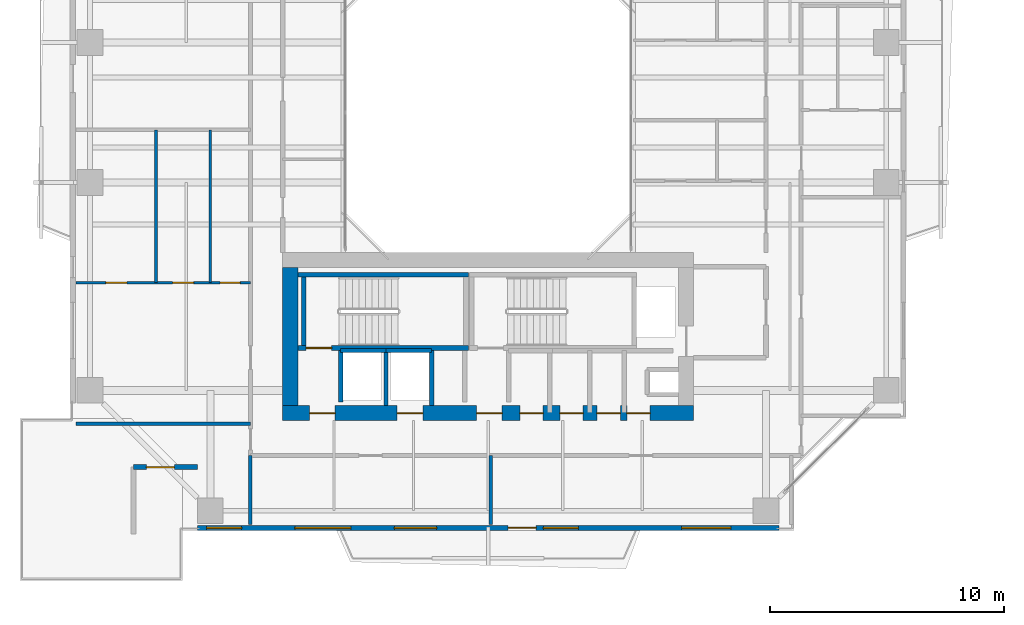
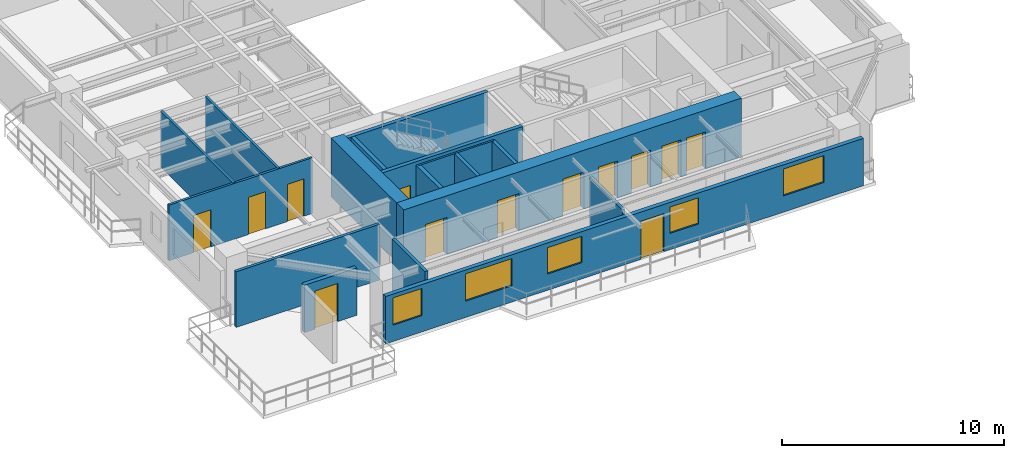
# One storey, part 12 of 23: 18 walls, 13 doors, 5 windows, 18 openings.
"""IFC4 building model written with IfcOpenShell, lengths in metres."""

from ifc_helpers import new_model, si_unit, direction, frame, frame_2d, origin, place, context, subcontext, project, spatial, rectangle, extrude, source, transform, mapped, material, layer, layer_set, type_object, element, fill, save


model = new_model("IFC4")

# Units and contexts
model_context = context("Model", 3, precision=1e-05, world=origin(), true_north=direction((0.0, 1.0)))
body_context = subcontext(model_context, "Body", "Model", "MODEL_VIEW")
ifc_project = project(units=[si_unit("LENGTHUNIT", "METRE"), si_unit("AREAUNIT", "SQUARE_METRE"), si_unit("VOLUMEUNIT", "CUBIC_METRE"), si_unit("PLANEANGLEUNIT", "RADIAN"), si_unit("MASSUNIT", "GRAM", prefix="KILO"), si_unit("THERMODYNAMICTEMPERATUREUNIT", "KELVIN"), si_unit("POWERUNIT", "WATT")], contexts=[model_context])

# Site, building, storey
site_placement = place(None, origin())
site = spatial("IfcSite", under=ifc_project, at=site_placement, CompositionType="ELEMENT")
building_placement = place(site_placement, origin())
building = spatial("IfcBuilding", under=site, at=building_placement, Name="Qiaomeng Ring Towers", CompositionType="ELEMENT")
storey_placement = place(building_placement, frame((0.0, 0.0, 103.5)))
storey = spatial("IfcBuildingStorey", under=building, at=storey_placement, Name="L29", CompositionType="ELEMENT", Elevation=103.5)

# Wall, openings, windows, door
ifc_material_1 = material(Name="Precast concrete C40", Category="concrete")
ifc_layer_1 = layer(ifc_material_1, 0.219970703125, Name="Precast concrete C40")
ifc_layer_set_1 = layer_set([ifc_layer_1], Name="Precast concrete C40")
wall_type_1 = type_object("IfcWallType", Name="ARC-WL-EW2", PredefinedType="STANDARD", material=ifc_layer_set_1)
wall_1_placement = place(storey_placement, frame((6.550048828125, 5.2099609375, 0.0), z_axis=(0.0, 0.0, 1.0), x_axis=(1.0, 0.0, 0.0)))
wall_1 = element("IfcWall", 1, at=wall_1_placement, inside=storey, type_object=wall_type_1, Name="L29 Tower 1 S Exterior Wall", PredefinedType="STANDARD", context=body_context, shape_type="SweptSolid", body=[
    extrude(rectangle(XDim=24.89990234375, YDim=0.219970703125, at=frame_2d((12.449951171875, 0.0))), origin(), (0.0, 0.0, 1.0), 2.610107421875),
])
opening_1_placement = place(wall_1_placement, frame((13.300048828125, 0.0, 0.0)))
opening_1 = element("IfcOpeningElement", 2, at=opening_1_placement, cuts=wall_1, Name="Opening BD1", PredefinedType="OPENING", context=body_context, shape_type="SweptSolid", body=[
    extrude(rectangle(XDim=1.199951171875, YDim=2.10009765625, at=frame_2d((0.60009765625, 1.050048828125))), frame((0.0, 0.119873046875, 0.0), z_axis=(0.0, -1.0, 0.0), x_axis=(1.0, 0.0, 0.0)), (0.0, 0.0, 1.0), 0.239990234375),
])
opening_2_placement = place(wall_1_placement, frame((0.392578125, 0.0, 0.89990234375)))
opening_2 = element("IfcOpeningElement", 3, at=opening_2_placement, cuts=wall_1, Name="Opening WN2", PredefinedType="OPENING", context=body_context, shape_type="SweptSolid", body=[
    extrude(rectangle(XDim=1.5, YDim=1.5, at=frame_2d((0.75, 0.75))), frame((0.0, 0.119873046875, 0.0), z_axis=(0.0, -1.0, 0.0), x_axis=(1.0, 0.0, 0.0)), (0.0, 0.0, 1.0), 0.239990234375),
])
opening_3_placement = place(wall_1_placement, frame((8.43798828125, 0.0, 0.89990234375)))
opening_3 = element("IfcOpeningElement", 4, at=opening_3_placement, cuts=wall_1, Name="Opening WN1", PredefinedType="OPENING", context=body_context, shape_type="SweptSolid", body=[
    extrude(rectangle(XDim=1.800048828125, YDim=1.449951171875, at=frame_2d((0.89990234375, 0.72509765625))), frame((0.0, 0.119873046875, 0.0), z_axis=(0.0, -1.0, 0.0), x_axis=(1.0, 0.0, 0.0)), (0.0, 0.0, 1.0), 0.239990234375),
])
opening_4_placement = place(wall_1_placement, frame((14.81298828125, 0.0, 0.89990234375)))
opening_4 = element("IfcOpeningElement", 5, at=opening_4_placement, cuts=wall_1, Name="Opening WN2", PredefinedType="OPENING", context=body_context, shape_type="SweptSolid", body=[
    extrude(rectangle(XDim=1.5, YDim=1.449951171875, at=frame_2d((0.75, 0.72509765625))), frame((0.0, 0.119873046875, 0.0), z_axis=(0.0, -1.0, 0.0), x_axis=(1.0, 0.0, 0.0)), (0.0, 0.0, 1.0), 0.239990234375),
])
opening_5_placement = place(wall_1_placement, frame((20.738037109375, 0.0, 0.89990234375)))
opening_5 = element("IfcOpeningElement", 6, at=opening_5_placement, cuts=wall_1, Name="Opening WN4", PredefinedType="OPENING", context=body_context, shape_type="SweptSolid", body=[
    extrude(rectangle(XDim=2.10009765625, YDim=1.47998046875, at=frame_2d((1.050048828125, 0.739990234375))), frame((0.0, 0.119873046875, 0.0), z_axis=(0.0, -1.0, 0.0), x_axis=(1.0, 0.0, 0.0)), (0.0, 0.0, 1.0), 0.239990234375),
])
opening_6_placement = place(wall_1_placement, frame((4.17138671875, 0.0, 0.89990234375)))
opening_6 = element("IfcOpeningElement", 7, at=opening_6_placement, cuts=wall_1, Name="Opening WN6", PredefinedType="OPENING", context=body_context, shape_type="SweptSolid", body=[
    extrude(rectangle(XDim=2.39990234375, YDim=1.5, at=frame_2d((1.199951171875, 0.75))), frame((0.0, 0.119873046875, 0.0), z_axis=(0.0, -1.0, 0.0), x_axis=(1.0, 0.0, 0.0)), (0.0, 0.0, 1.0), 0.239990234375),
])
ifc_material_2 = material(Name="Low-E dark-grey laminated double glazing", Category="glass")
window_type_1 = type_object("IfcWindowType", Name="ARC-WN-2", PartitioningType="DOUBLE_PANEL_VERTICAL", PredefinedType="WINDOW", material=ifc_material_2)
shared_shape_1 = source(origin(), body_context, "Body", "SweptSolid", [
    extrude(rectangle(XDim=1.5, YDim=1.449951171875, at=frame_2d((0.75, 0.72509765625))), frame((0.0, 0.030029296875, 0.0), z_axis=(0.0, -1.0, 0.0), x_axis=(1.0, 0.0, 0.0)), (0.0, 0.0, 1.0), 0.06005859375),
])
window_1_placement = place(opening_4_placement, origin())
window_1 = element("IfcWindow", 8, at=window_1_placement, inside=storey, type_object=window_type_1, Name="L29 Exterior Window WN2", OverallHeight=1.449951171875, OverallWidth=1.5, PartitioningType="DOUBLE_PANEL_VERTICAL", PredefinedType="WINDOW", context=body_context, shape_type="MappedRepresentation", body=[
    mapped(shared_shape_1, transform((0.0, 0.0, 0.0), x_axis=(1.0, 0.0, 0.0), y_axis=(0.0, 1.0, 0.0), z_axis=(0.0, 0.0, 1.0), scale=1.0)),
])
fill(opening_4, window_1)
window_type_2 = type_object("IfcWindowType", Name="ARC-WN-4", PartitioningType="TRIPLE_PANEL_VERTICAL", PredefinedType="WINDOW", material=ifc_material_2)
shared_shape_2 = source(origin(), body_context, "Body", "SweptSolid", [
    extrude(rectangle(XDim=2.10009765625, YDim=1.47998046875, at=frame_2d((1.050048828125, 0.739990234375))), frame((0.0, 0.030029296875, 0.0), z_axis=(0.0, -1.0, 0.0), x_axis=(1.0, 0.0, 0.0)), (0.0, 0.0, 1.0), 0.06005859375),
])
window_2_placement = place(opening_5_placement, origin())
window_2 = element("IfcWindow", 9, at=window_2_placement, inside=storey, type_object=window_type_2, Name="L29 Exterior Window WN4", OverallHeight=1.47998046875, OverallWidth=2.10009765625, PartitioningType="TRIPLE_PANEL_VERTICAL", PredefinedType="WINDOW", context=body_context, shape_type="MappedRepresentation", body=[
    mapped(shared_shape_2, transform((0.0, 0.0, 0.0), x_axis=(1.0, 0.0, 0.0), y_axis=(0.0, 1.0, 0.0), z_axis=(0.0, 0.0, 1.0), scale=1.0)),
])
fill(opening_5, window_2)
window_type_3 = type_object("IfcWindowType", Name="ARC-WN-1", PartitioningType="DOUBLE_PANEL_VERTICAL", PredefinedType="WINDOW", material=ifc_material_2)
shared_shape_3 = source(origin(), body_context, "Body", "SweptSolid", [
    extrude(rectangle(XDim=1.800048828125, YDim=1.449951171875, at=frame_2d((0.89990234375, 0.72509765625))), frame((0.0, 0.030029296875, 0.0), z_axis=(0.0, -1.0, 0.0), x_axis=(1.0, 0.0, 0.0)), (0.0, 0.0, 1.0), 0.06005859375),
])
window_3_placement = place(opening_3_placement, origin())
window_3 = element("IfcWindow", 10, at=window_3_placement, inside=storey, type_object=window_type_3, Name="L29 Exterior Window WN1", OverallHeight=1.449951171875, OverallWidth=1.800048828125, PartitioningType="DOUBLE_PANEL_VERTICAL", PredefinedType="WINDOW", context=body_context, shape_type="MappedRepresentation", body=[
    mapped(shared_shape_3, transform((0.0, 0.0, 0.0), x_axis=(1.0, 0.0, 0.0), y_axis=(0.0, 1.0, 0.0), z_axis=(0.0, 0.0, 1.0), scale=1.0)),
])
fill(opening_3, window_3)
door_type_1 = type_object("IfcDoorType", Name="ARC-DR-BD1", OperationType="NOTDEFINED", PredefinedType="DOOR", material=ifc_material_2)
shared_shape_4 = source(origin(), body_context, "Body", "SweptSolid", [
    extrude(rectangle(XDim=1.199951171875, YDim=2.10009765625, at=frame_2d((0.60009765625, 1.050048828125))), frame((0.0, 0.02490234375, 0.0), z_axis=(0.0, -1.0, 0.0), x_axis=(1.0, 0.0, 0.0)), (0.0, 0.0, 1.0), 0.050048828125),
])
door_1_placement = place(opening_1_placement, frame((1.199951171875, 0.0, 0.0), z_axis=(0.0, 0.0, 1.0), x_axis=(-1.0, 0.0, 0.0)))
door_1 = element("IfcDoor", 11, at=door_1_placement, inside=storey, type_object=door_type_1, Name="L29 S Balcony Glazed Door", OperationType="SINGLE_SWING_LEFT", OverallHeight=2.10009765625, OverallWidth=1.199951171875, PredefinedType="DOOR", context=body_context, shape_type="MappedRepresentation", body=[
    mapped(shared_shape_4, transform((0.0, 0.0, 0.0), x_axis=(1.0, 0.0, 0.0), y_axis=(0.0, 1.0, 0.0), z_axis=(0.0, 0.0, 1.0), scale=1.0)),
])
fill(opening_1, door_1)
shared_shape_5 = source(origin(), body_context, "Body", "SweptSolid", [
    extrude(rectangle(XDim=1.5, YDim=1.5, at=frame_2d((0.75, 0.75))), frame((0.0, 0.030029296875, 0.0), z_axis=(0.0, -1.0, 0.0), x_axis=(1.0, 0.0, 0.0)), (0.0, 0.0, 1.0), 0.06005859375),
])
window_4_placement = place(opening_2_placement, origin())
window_4 = element("IfcWindow", 12, at=window_4_placement, inside=storey, type_object=window_type_1, Name="L29 Exterior Window WN6", OverallHeight=1.5, OverallWidth=1.5, PartitioningType="TRIPLE_PANEL_VERTICAL", PredefinedType="WINDOW", context=body_context, shape_type="MappedRepresentation", body=[
    mapped(shared_shape_5, transform((0.0, 0.0, 0.0), x_axis=(1.0, 0.0, 0.0), y_axis=(0.0, 1.0, 0.0), z_axis=(0.0, 0.0, 1.0), scale=1.0)),
])
fill(opening_2, window_4)
window_type_4 = type_object("IfcWindowType", Name="ARC-WN-6", PartitioningType="TRIPLE_PANEL_VERTICAL", PredefinedType="WINDOW", material=ifc_material_2)
shared_shape_6 = source(origin(), body_context, "Body", "SweptSolid", [
    extrude(rectangle(XDim=2.39990234375, YDim=1.5, at=frame_2d((1.199951171875, 0.75))), frame((0.0, 0.030029296875, 0.0), z_axis=(0.0, -1.0, 0.0), x_axis=(1.0, 0.0, 0.0)), (0.0, 0.0, 1.0), 0.06005859375),
])
window_5_placement = place(opening_6_placement, origin())
window_5 = element("IfcWindow", 13, at=window_5_placement, inside=storey, type_object=window_type_4, Name="L29 Exterior Window WN6", OverallHeight=1.5, OverallWidth=2.39990234375, PartitioningType="TRIPLE_PANEL_VERTICAL", PredefinedType="WINDOW", context=body_context, shape_type="MappedRepresentation", body=[
    mapped(shared_shape_6, transform((0.0, 0.0, 0.0), x_axis=(1.0, 0.0, 0.0), y_axis=(0.0, 1.0, 0.0), z_axis=(0.0, 0.0, 1.0), scale=1.0)),
])
fill(opening_6, window_5)

# Wall, opening, door
wall_2_placement = place(storey_placement, frame((3.81005859375, 7.81005859375, 0.0), z_axis=(0.0, 0.0, 1.0), x_axis=(1.0, 0.0, 0.0)))
wall_2 = element("IfcWall", 14, at=wall_2_placement, inside=storey, type_object=wall_type_1, Name="L29 Spiral Terrace Wall SW", PredefinedType="STANDARD", context=body_context, shape_type="SweptSolid", body=[
    extrude(rectangle(XDim=2.739990234375, YDim=0.219970703125, at=frame_2d((1.3701171875, 0.0))), origin(), (0.0, 0.0, 1.0), 2.610107421875),
])
opening_7_placement = place(wall_2_placement, frame((0.550048828125, 0.0, 0.0)))
opening_7 = element("IfcOpeningElement", 15, at=opening_7_placement, cuts=wall_2, Name="Opening BD1", PredefinedType="OPENING", context=body_context, shape_type="SweptSolid", body=[
    extrude(rectangle(XDim=1.199951171875, YDim=2.10009765625, at=frame_2d((0.60009765625, 1.050048828125))), frame((0.0, 0.119873046875, 0.0), z_axis=(0.0, -1.0, 0.0), x_axis=(1.0, 0.0, 0.0)), (0.0, 0.0, 1.0), 0.239990234375),
])
door_2_placement = place(opening_7_placement, origin())
door_2 = element("IfcDoor", 16, at=door_2_placement, inside=storey, type_object=door_type_1, Name="L29 Spiral Sky Terrace Door SW", OperationType="SINGLE_SWING_LEFT", OverallHeight=2.10009765625, OverallWidth=1.199951171875, PredefinedType="DOOR", context=body_context, shape_type="MappedRepresentation", body=[
    mapped(shared_shape_4, transform((0.0, 0.0, 0.0), x_axis=(1.0, 0.0, 0.0), y_axis=(0.0, 1.0, 0.0), z_axis=(0.0, 0.0, 1.0), scale=1.0)),
])
fill(opening_7, door_2)

# Walls
ifc_material_3 = material(Name="Autoclaved aerated concrete block", Category="concrete")
ifc_layer_2 = layer(ifc_material_3, 0.199951171875, Name="Autoclaved aerated concrete block")
ifc_layer_set_2 = layer_set([ifc_layer_2], Name="Autoclaved aerated concrete block")
wall_type_2 = type_object("IfcWallType", Name="ARC-WL-PW1", PredefinedType="PARTITIONING", material=ifc_layer_set_2)
wall_3_placement = place(storey_placement, frame((12.679931640625, 10.60009765625, 0.0), z_axis=(0.0, 0.0, 1.0), x_axis=(0.0, 1.0, 0.0)))
element("IfcWall", 17, at=wall_3_placement, inside=storey, type_object=wall_type_2, Name="L29 Interior Wall PW1", PredefinedType="PARTITIONING", context=body_context, shape_type="SweptSolid", body=[
    extrude(rectangle(XDim=2.2099609375, YDim=0.199951171875, at=frame_2d((1.10498046875, 0.0))), origin(), (0.0, 0.0, 1.0), 3.070068359375),
])
ifc_material_4 = material(Name="Gypsum fireboard steel-stud partition", Category="steel")
ifc_layer_3 = layer(ifc_material_4, 0.14990234375, Name="Gypsum fireboard steel-stud partition")
ifc_layer_set_3 = layer_set([ifc_layer_3], Name="Gypsum fireboard steel-stud partition")
wall_type_3 = type_object("IfcWallType", Name="ARC-WL-PW3", PredefinedType="PARTITIONING", material=ifc_layer_set_3)
wall_4_placement = place(storey_placement, frame((19.10009765625, 5.35009765625, 0.0), z_axis=(0.0, 0.0, 1.0), x_axis=(0.0, 1.0, 0.0)))
element("IfcWall", 18, at=wall_4_placement, inside=storey, type_object=wall_type_3, Name="L29 Interior Wall PW3", PredefinedType="PARTITIONING", context=body_context, shape_type="SweptSolid", body=[
    extrude(rectangle(XDim=2.9599609375, YDim=0.14990234375, at=frame_2d((1.47998046875, 0.0))), origin(), (0.0, 0.0, 1.0), 2.864990234375),
])
wall_5_placement = place(storey_placement, frame((8.820068359375, 5.35009765625, 0.0), z_axis=(0.0, 0.0, 1.0), x_axis=(0.0, 1.0, 0.0)))
element("IfcWall", 19, at=wall_5_placement, inside=storey, type_object=wall_type_3, Name="L29 Interior Wall PW3", PredefinedType="PARTITIONING", context=body_context, shape_type="SweptSolid", body=[
    extrude(rectangle(XDim=2.9599609375, YDim=0.14990234375, at=frame_2d((1.47998046875, 0.0))), origin(), (0.0, 0.0, 1.0), 3.070068359375),
])
wall_6_placement = place(storey_placement, frame((1.35009765625, 9.669921875, 0.0), z_axis=(0.0, 0.0, 1.0), x_axis=(1.0, 0.0, 0.0)))
element("IfcWall", 20, at=wall_6_placement, inside=storey, type_object=wall_type_3, Name="L29 Interior Wall PW3", PredefinedType="PARTITIONING", context=body_context, shape_type="SweptSolid", body=[
    extrude(rectangle(XDim=7.469970703125, YDim=0.14990234375, at=frame_2d((3.73486328125, 0.0))), origin(), (0.0, 0.0, 1.0), 3.070068359375),
])

# Wall, openings, doors
ifc_material_5 = material(Name="Moisture-resistant gypsum steel-stud partition", Category="steel")
ifc_layer_4 = layer(ifc_material_5, 0.1201171875, Name="Moisture-resistant gypsum steel-stud partition")
ifc_layer_set_4 = layer_set([ifc_layer_4], Name="Moisture-resistant gypsum steel-stud partition")
wall_type_4 = type_object("IfcWallType", Name="ARC-WL-PW4", PredefinedType="PLUMBINGWALL", material=ifc_layer_set_4)
wall_7_placement = place(storey_placement, frame((1.35009765625, 15.7099609375, 0.0), z_axis=(0.0, 0.0, 1.0), x_axis=(1.0, 0.0, 0.0)))
wall_7 = element("IfcWall", 21, at=wall_7_placement, inside=storey, type_object=wall_type_4, Name="L29 Interior Wall PW4", PredefinedType="PLUMBINGWALL", context=body_context, shape_type="SweptSolid", body=[
    extrude(rectangle(XDim=7.469970703125, YDim=0.1201171875, at=frame_2d((3.73486328125, 0.0))), origin(), (0.0, 0.0, 1.0), 3.070068359375),
])
opening_8_placement = place(wall_7_placement, frame((1.27490234375, 0.0, 0.0)))
opening_8 = element("IfcOpeningElement", 22, at=opening_8_placement, cuts=wall_7, Name="Opening ID1", PredefinedType="OPENING", context=body_context, shape_type="SweptSolid", body=[
    extrude(rectangle(XDim=0.89990234375, YDim=2.050048828125, at=frame_2d((0.449951171875, 1.02490234375))), frame((0.0, 0.070068359375, 0.0), z_axis=(0.0, -1.0, 0.0), x_axis=(1.0, 0.0, 0.0)), (0.0, 0.0, 1.0), 0.14013671875),
])
opening_9_placement = place(wall_7_placement, frame((4.139892578125, 0.0, 0.0)))
opening_9 = element("IfcOpeningElement", 23, at=opening_9_placement, cuts=wall_7, Name="Opening ID1", PredefinedType="OPENING", context=body_context, shape_type="SweptSolid", body=[
    extrude(rectangle(XDim=0.89990234375, YDim=2.050048828125, at=frame_2d((0.449951171875, 1.02490234375))), frame((0.0, 0.070068359375, 0.0), z_axis=(0.0, -1.0, 0.0), x_axis=(1.0, 0.0, 0.0)), (0.0, 0.0, 1.0), 0.14013671875),
])
opening_10_placement = place(wall_7_placement, frame((6.175048828125, 0.0, 0.0)))
opening_10 = element("IfcOpeningElement", 24, at=opening_10_placement, cuts=wall_7, Name="Opening ID2", PredefinedType="OPENING", context=body_context, shape_type="SweptSolid", body=[
    extrude(rectangle(XDim=0.85009765625, YDim=2.050048828125, at=frame_2d((0.425048828125, 1.02490234375))), frame((0.0, 0.070068359375, 0.0), z_axis=(0.0, -1.0, 0.0), x_axis=(1.0, 0.0, 0.0)), (0.0, 0.0, 1.0), 0.14013671875),
])
ifc_material_6 = material(Name="Moisture-resistant engineered timber", Category="wood")
door_type_2 = type_object("IfcDoorType", Name="ARC-DR-ID2", OperationType="NOTDEFINED", PredefinedType="DOOR", material=ifc_material_6)
shared_shape_7 = source(origin(), body_context, "Body", "SweptSolid", [
    extrude(rectangle(XDim=0.85009765625, YDim=2.050048828125, at=frame_2d((0.425048828125, 1.02490234375))), frame((0.0, 0.02490234375, 0.0), z_axis=(0.0, -1.0, 0.0), x_axis=(1.0, 0.0, 0.0)), (0.0, 0.0, 1.0), 0.050048828125),
])
door_3_placement = place(opening_10_placement, origin())
door_3 = element("IfcDoor", 25, at=door_3_placement, inside=storey, type_object=door_type_2, Name="L29 Door ID2", OperationType="SINGLE_SWING_LEFT", OverallHeight=2.050048828125, OverallWidth=0.85009765625, PredefinedType="DOOR", context=body_context, shape_type="MappedRepresentation", body=[
    mapped(shared_shape_7, transform((0.0, 0.0, 0.0), x_axis=(1.0, 0.0, 0.0), y_axis=(0.0, 1.0, 0.0), z_axis=(0.0, 0.0, 1.0), scale=1.0)),
])
fill(opening_10, door_3)
ifc_material_7 = material(Name="Engineered oak timber", Category="wood")
door_type_3 = type_object("IfcDoorType", Name="ARC-DR-ID1", OperationType="NOTDEFINED", PredefinedType="DOOR", material=ifc_material_7)
shared_shape_8 = source(origin(), body_context, "Body", "SweptSolid", [
    extrude(rectangle(XDim=0.89990234375, YDim=2.050048828125, at=frame_2d((0.449951171875, 1.02490234375))), frame((0.0, 0.02490234375, 0.0), z_axis=(0.0, -1.0, 0.0), x_axis=(1.0, 0.0, 0.0)), (0.0, 0.0, 1.0), 0.050048828125),
])
door_4_placement = place(opening_8_placement, origin())
door_4 = element("IfcDoor", 26, at=door_4_placement, inside=storey, type_object=door_type_3, Name="L29 Door ID1", OperationType="SINGLE_SWING_LEFT", OverallHeight=2.050048828125, OverallWidth=0.89990234375, PredefinedType="DOOR", context=body_context, shape_type="MappedRepresentation", body=[
    mapped(shared_shape_8, transform((0.0, 0.0, 0.0), x_axis=(1.0, 0.0, 0.0), y_axis=(0.0, 1.0, 0.0), z_axis=(0.0, 0.0, 1.0), scale=1.0)),
])
fill(opening_8, door_4)
door_5_placement = place(opening_9_placement, origin())
door_5 = element("IfcDoor", 27, at=door_5_placement, inside=storey, type_object=door_type_3, Name="L29 Door ID1", OperationType="SINGLE_SWING_RIGHT", OverallHeight=2.050048828125, OverallWidth=0.89990234375, PredefinedType="DOOR", context=body_context, shape_type="MappedRepresentation", body=[
    mapped(shared_shape_8, transform((0.0, 0.0, 0.0), x_axis=(1.0, 0.0, 0.0), y_axis=(0.0, 1.0, 0.0), z_axis=(0.0, 0.0, 1.0), scale=1.0)),
])
fill(opening_9, door_5)

# Walls
for number, where, z_axis, x_axis, name in (
    (28, (4.780029296875, 15.7099609375, 0.0), (0.0, 0.0, 1.0), (0.0, 1.0, 0.0), "L29 Interior Wall PW4"),
    (29, (7.10009765625, 15.7099609375, 0.0), (0.0, 0.0, 1.0), (0.0, 1.0, 0.0), "L29 Interior Wall PW4"),
):
    element("IfcWall", number, at=place(storey_placement, frame(where, z_axis=z_axis, x_axis=x_axis)), inside=storey, type_object=wall_type_4, Name=name, PredefinedType="PLUMBINGWALL", context=body_context, shape_type="SweptSolid", body=[
        extrude(rectangle(XDim=6.5400390625, YDim=0.1201171875, at=frame_2d((3.27001953125, 0.0))), origin(), (0.0, 0.0, 1.0), 3.070068359375),
    ])
ifc_material_8 = material(Name="Concrete C40", Category="concrete")
ifc_layer_5 = layer(ifc_material_8, 0.199951171875, Name="Concrete C40")
ifc_layer_set_5 = layer_set([ifc_layer_5], Name="Concrete C40")
wall_type_5 = type_object("IfcWallType", Name="STR-WL-STSHAFT", PredefinedType="SHEAR", material=ifc_layer_set_5)
wall_8_placement = place(storey_placement, frame((12.679931640625, 12.800048828125, 0.0), z_axis=(0.0, 0.0, 1.0), x_axis=(1.0, 0.0, 0.0)))
element("IfcWall", 30, at=wall_8_placement, inside=storey, type_object=wall_type_5, Name="L29 Lift LP6 Shaft Back Wall", PredefinedType="SHEAR", context=body_context, shape_type="SweptSolid", body=[
    extrude(rectangle(XDim=1.940185546875, YDim=0.179931640625, at=frame_2d((0.97021484375, 0.0))), origin(), (0.0, 0.0, 1.0), 3.070068359375),
])
wall_9_placement = place(storey_placement, frame((14.6201171875, 10.449951171875, 0.0), z_axis=(0.0, 0.0, 1.0), x_axis=(0.0, 1.0, 0.0)))
element("IfcWall", 31, at=wall_9_placement, inside=storey, type_object=wall_type_5, Name="L29 Lift LP6-LP4 Shaft Divider Wall", PredefinedType="SHEAR", context=body_context, shape_type="SweptSolid", body=[
    extrude(rectangle(XDim=2.35009765625, YDim=0.179931640625, at=frame_2d((1.175048828125, 0.0))), origin(), (0.0, 0.0, 1.0), 3.070068359375),
])
wall_10_placement = place(storey_placement, frame((14.6201171875, 12.800048828125, 0.0), z_axis=(0.0, 0.0, 1.0), x_axis=(1.0, 0.0, 0.0)))
element("IfcWall", 32, at=wall_10_placement, inside=storey, type_object=wall_type_5, Name="L29 Lift LP4 Shaft Back Wall", PredefinedType="SHEAR", context=body_context, shape_type="SweptSolid", body=[
    extrude(rectangle(XDim=1.9599609375, YDim=0.179931640625, at=frame_2d((0.97998046875, 0.0))), origin(), (0.0, 0.0, 1.0), 3.070068359375),
])
wall_11_placement = place(storey_placement, frame((16.580078125, 10.449951171875, 0.0), z_axis=(0.0, 0.0, 1.0), x_axis=(0.0, 1.0, 0.0)))
element("IfcWall", 33, at=wall_11_placement, inside=storey, type_object=wall_type_5, Name="L29 Lift LP4 East Shaft Wall", PredefinedType="SHEAR", context=body_context, shape_type="SweptSolid", body=[
    extrude(rectangle(XDim=2.35009765625, YDim=0.179931640625, at=frame_2d((1.175048828125, 0.0))), origin(), (0.0, 0.0, 1.0), 3.070068359375),
])

# Wall, opening, door
wall_12_placement = place(storey_placement, frame((10.85009765625, 12.909912109375, 0.0), z_axis=(0.0, 0.0, 1.0), x_axis=(1.0, 0.0, 0.0)))
wall_12 = element("IfcWall", 34, at=wall_12_placement, inside=storey, type_object=wall_type_5, Name="L29 Stair ST3 South Shaft Shear Wall", PredefinedType="SHEAR", context=body_context, shape_type="SweptSolid", body=[
    extrude(rectangle(XDim=7.2998046875, YDim=0.199951171875, at=frame_2d((3.64990234375, 0.0))), origin(), (0.0, 0.0, 1.0), 3.25),
])
opening_11_placement = place(wall_12_placement, frame((0.35009765625, 0.0, 0.0)))
opening_11 = element("IfcOpeningElement", 35, at=opening_11_placement, cuts=wall_12, Name="Opening FD3", PredefinedType="OPENING", context=body_context, shape_type="SweptSolid", body=[
    extrude(rectangle(XDim=1.10009765625, YDim=2.050048828125, at=frame_2d((0.550048828125, 1.02490234375))), frame((0.0, 0.10986328125, 0.0), z_axis=(0.0, -1.0, 0.0), x_axis=(1.0, 0.0, 0.0)), (0.0, 0.0, 1.0), 0.219970703125),
])
ifc_material_9 = material(Name="Galvanised steel", Category="steel")
door_type_4 = type_object("IfcDoorType", Name="ARC-DR-FD3", OperationType="NOTDEFINED", PredefinedType="DOOR", material=ifc_material_9)
shared_shape_9 = source(origin(), body_context, "Body", "SweptSolid", [
    extrude(rectangle(XDim=1.10009765625, YDim=2.050048828125, at=frame_2d((0.550048828125, 1.02490234375))), frame((0.0, 0.02490234375, 0.0), z_axis=(0.0, -1.0, 0.0), x_axis=(1.0, 0.0, 0.0)), (0.0, 0.0, 1.0), 0.050048828125),
])
door_6_placement = place(opening_11_placement, frame((1.10009765625, 0.0, 0.0), z_axis=(0.0, 0.0, 1.0), x_axis=(-1.0, 0.0, 0.0)))
door_6 = element("IfcDoor", 36, at=door_6_placement, inside=storey, type_object=door_type_4, Name="L29 Stair ST3 Exit Door", OperationType="SINGLE_SWING_RIGHT", OverallHeight=2.050048828125, OverallWidth=1.10009765625, PredefinedType="DOOR", context=body_context, shape_type="MappedRepresentation", body=[
    mapped(shared_shape_9, transform((0.0, 0.0, 0.0), x_axis=(1.0, 0.0, 0.0), y_axis=(0.0, 1.0, 0.0), z_axis=(0.0, 0.0, 1.0), scale=1.0)),
])
fill(opening_11, door_6)

# Walls
wall_13_placement = place(storey_placement, frame((10.85009765625, 16.050048828125, 0.0), z_axis=(0.0, 0.0, 1.0), x_axis=(1.0, 0.0, 0.0)))
element("IfcWall", 37, at=wall_13_placement, inside=storey, type_object=wall_type_5, Name="L29 Stair ST3 North Shaft Shear Wall", PredefinedType="SHEAR", context=body_context, shape_type="SweptSolid", body=[
    extrude(rectangle(XDim=7.2998046875, YDim=0.199951171875, at=frame_2d((3.64990234375, 0.0))), origin(), (0.0, 0.0, 1.0), 3.25),
])
wall_14_placement = place(storey_placement, frame((11.10009765625, 13.010009765625, 0.0), z_axis=(0.0, 0.0, 1.0), x_axis=(0.0, 1.0, 0.0)))
element("IfcWall", 38, at=wall_14_placement, inside=storey, type_object=wall_type_5, Name="L29 Stair ST3 West Shaft Shear Wall", PredefinedType="SHEAR", context=body_context, shape_type="SweptSolid", body=[
    extrude(rectangle(XDim=2.93994140625, YDim=0.199951171875, at=frame_2d((1.469970703125, 0.0))), origin(), (0.0, 0.0, 1.0), 3.25),
])

# Wall, openings, doors
ifc_material_10 = material(Name="Concrete C55", Category="concrete")
ifc_layer_6 = layer(ifc_material_10, 0.64990234375, Name="Concrete C55")
ifc_layer_set_6 = layer_set([ifc_layer_6], Name="Concrete C55")
wall_type_6 = type_object("IfcWallType", Name="STR-WL-SW2A", PredefinedType="SHEAR", material=ifc_layer_set_6)
wall_15_placement = place(storey_placement, frame((10.199951171875, 10.125, 0.0), z_axis=(0.0, 0.0, 1.0), x_axis=(1.0, 0.0, 0.0)))
wall_15 = element("IfcWall", 39, at=wall_15_placement, inside=storey, type_object=wall_type_6, Name="L29 T1SC south core shear wall", PredefinedType="SHEAR", context=body_context, shape_type="SweptSolid", body=[
    extrude(rectangle(XDim=17.60009765625, YDim=0.64990234375, at=frame_2d((8.800048828125, 0.0))), origin(), (0.0, 0.0, 1.0), 3.25),
])
opening_12_placement = place(wall_15_placement, frame((1.14990234375, 0.0, 0.0)))
opening_12 = element("IfcOpeningElement", 40, at=opening_12_placement, cuts=wall_15, Name="Opening FD3", PredefinedType="OPENING", context=body_context, shape_type="SweptSolid", body=[
    extrude(rectangle(XDim=1.10009765625, YDim=2.050048828125, at=frame_2d((0.550048828125, 1.02490234375))), frame((0.0, 0.3349609375, 0.0), z_axis=(0.0, -1.0, 0.0), x_axis=(1.0, 0.0, 0.0)), (0.0, 0.0, 1.0), 0.669921875),
])
opening_13_placement = place(wall_15_placement, frame((8.300048828125, 0.0, 0.0)))
opening_13 = element("IfcOpeningElement", 41, at=opening_13_placement, cuts=wall_15, Name="Opening FD3", PredefinedType="OPENING", context=body_context, shape_type="SweptSolid", body=[
    extrude(rectangle(XDim=1.10009765625, YDim=2.050048828125, at=frame_2d((0.550048828125, 1.02490234375))), frame((0.0, 0.3349609375, 0.0), z_axis=(0.0, -1.0, 0.0), x_axis=(1.0, 0.0, 0.0)), (0.0, 0.0, 1.0), 0.669921875),
])
opening_14_placement = place(wall_15_placement, frame((4.89990234375, 0.0, 0.0)))
opening_14 = element("IfcOpeningElement", 42, at=opening_14_placement, cuts=wall_15, Name="Opening LD1", PredefinedType="OPENING", context=body_context, shape_type="SweptSolid", body=[
    extrude(rectangle(XDim=1.10009765625, YDim=2.050048828125, at=frame_2d((0.550048828125, 1.02490234375))), frame((0.0, 0.3349609375, 0.0), z_axis=(0.0, -1.0, 0.0), x_axis=(1.0, 0.0, 0.0)), (0.0, 0.0, 1.0), 0.669921875),
])
opening_15_placement = place(wall_15_placement, frame((14.739990234375, 0.0, 0.0)))
opening_15 = element("IfcOpeningElement", 43, at=opening_15_placement, cuts=wall_15, Name="Opening FD1", PredefinedType="OPENING", context=body_context, shape_type="SweptSolid", body=[
    extrude(rectangle(XDim=1.0, YDim=2.050048828125, at=frame_2d((0.5, 1.02490234375))), frame((0.0, 0.3349609375, 0.0), z_axis=(0.0, -1.0, 0.0), x_axis=(1.0, 0.0, 0.0)), (0.0, 0.0, 1.0), 0.669921875),
])
opening_16_placement = place(wall_15_placement, frame((10.155029296875, 0.0, 0.0)))
opening_16 = element("IfcOpeningElement", 44, at=opening_16_placement, cuts=wall_15, Name="Opening FD1", PredefinedType="OPENING", context=body_context, shape_type="SweptSolid", body=[
    extrude(rectangle(XDim=1.0, YDim=2.050048828125, at=frame_2d((0.5, 1.02490234375))), frame((0.0, 0.3349609375, 0.0), z_axis=(0.0, -1.0, 0.0), x_axis=(1.0, 0.0, 0.0)), (0.0, 0.0, 1.0), 0.669921875),
])
opening_17_placement = place(wall_15_placement, frame((11.8701171875, 0.0, 0.0)))
opening_17 = element("IfcOpeningElement", 45, at=opening_17_placement, cuts=wall_15, Name="Opening FD1", PredefinedType="OPENING", context=body_context, shape_type="SweptSolid", body=[
    extrude(rectangle(XDim=1.0, YDim=2.050048828125, at=frame_2d((0.5, 1.02490234375))), frame((0.0, 0.3349609375, 0.0), z_axis=(0.0, -1.0, 0.0), x_axis=(1.0, 0.0, 0.0)), (0.0, 0.0, 1.0), 0.669921875),
])
opening_18_placement = place(wall_15_placement, frame((13.4599609375, 0.0, 0.0)))
opening_18 = element("IfcOpeningElement", 46, at=opening_18_placement, cuts=wall_15, Name="Opening FD1", PredefinedType="OPENING", context=body_context, shape_type="SweptSolid", body=[
    extrude(rectangle(XDim=1.0, YDim=2.050048828125, at=frame_2d((0.5, 1.02490234375))), frame((0.0, 0.3349609375, 0.0), z_axis=(0.0, -1.0, 0.0), x_axis=(1.0, 0.0, 0.0)), (0.0, 0.0, 1.0), 0.669921875),
])
door_7_placement = place(opening_12_placement, origin())
door_7 = element("IfcDoor", 47, at=door_7_placement, inside=storey, type_object=door_type_4, Name="L29 Stair ST3 Lobby Door", OperationType="SINGLE_SWING_LEFT", OverallHeight=2.050048828125, OverallWidth=1.10009765625, PredefinedType="DOOR", context=body_context, shape_type="MappedRepresentation", body=[
    mapped(shared_shape_9, transform((0.0, 0.0, 0.0), x_axis=(1.0, 0.0, 0.0), y_axis=(0.0, 1.0, 0.0), z_axis=(0.0, 0.0, 1.0), scale=1.0)),
])
fill(opening_12, door_7)
door_8_placement = place(opening_13_placement, origin())
door_8 = element("IfcDoor", 48, at=door_8_placement, inside=storey, type_object=door_type_4, Name="L29 Stair ST4 Lobby Door", OperationType="SINGLE_SWING_LEFT", OverallHeight=2.050048828125, OverallWidth=1.10009765625, PredefinedType="DOOR", context=body_context, shape_type="MappedRepresentation", body=[
    mapped(shared_shape_9, transform((0.0, 0.0, 0.0), x_axis=(1.0, 0.0, 0.0), y_axis=(0.0, 1.0, 0.0), z_axis=(0.0, 0.0, 1.0), scale=1.0)),
])
fill(opening_13, door_8)
ifc_material_11 = material(Name="Stainless steel 316", Category="steel")
door_type_5 = type_object("IfcDoorType", Name="ARC-DR-LD1", OperationType="NOTDEFINED", PredefinedType="DOOR", material=ifc_material_11)
door_9_placement = place(opening_14_placement, origin())
door_9 = element("IfcDoor", 49, at=door_9_placement, inside=storey, type_object=door_type_5, Name="L29 Mid-Zone Lift LP4 Landing Door", OperationType="SLIDING_TO_RIGHT", OverallHeight=2.050048828125, OverallWidth=1.10009765625, PredefinedType="DOOR", context=body_context, shape_type="MappedRepresentation", body=[
    mapped(shared_shape_9, transform((0.0, 0.0, 0.0), x_axis=(1.0, 0.0, 0.0), y_axis=(0.0, 1.0, 0.0), z_axis=(0.0, 0.0, 1.0), scale=1.0)),
])
fill(opening_14, door_9)
door_type_6 = type_object("IfcDoorType", Name="ARC-DR-FD1", OperationType="NOTDEFINED", PredefinedType="DOOR", material=ifc_material_9)
shared_shape_10 = source(origin(), body_context, "Body", "SweptSolid", [
    extrude(rectangle(XDim=1.0, YDim=2.050048828125, at=frame_2d((0.5, 1.02490234375))), frame((0.0, 0.02490234375, 0.0), z_axis=(0.0, -1.0, 0.0), x_axis=(1.0, 0.0, 0.0)), (0.0, 0.0, 1.0), 0.050048828125),
])
door_10_placement = place(opening_15_placement, origin())
door_10 = element("IfcDoor", 50, at=door_10_placement, inside=storey, type_object=door_type_6, Name="L29 South Electrical Riser Door", OperationType="SINGLE_SWING_RIGHT", OverallHeight=2.050048828125, OverallWidth=1.0, PredefinedType="DOOR", context=body_context, shape_type="MappedRepresentation", body=[
    mapped(shared_shape_10, transform((0.0, 0.0, 0.0), x_axis=(1.0, 0.0, 0.0), y_axis=(0.0, 1.0, 0.0), z_axis=(0.0, 0.0, 1.0), scale=1.0)),
])
fill(opening_15, door_10)
door_11_placement = place(opening_16_placement, origin())
door_11 = element("IfcDoor", 51, at=door_11_placement, inside=storey, type_object=door_type_6, Name="L29 South Break Lounge Door", OperationType="SINGLE_SWING_RIGHT", OverallHeight=2.050048828125, OverallWidth=1.0, PredefinedType="DOOR", context=body_context, shape_type="MappedRepresentation", body=[
    mapped(shared_shape_10, transform((0.0, 0.0, 0.0), x_axis=(1.0, 0.0, 0.0), y_axis=(0.0, 1.0, 0.0), z_axis=(0.0, 0.0, 1.0), scale=1.0)),
])
fill(opening_16, door_11)
door_12_placement = place(opening_17_placement, origin())
door_12 = element("IfcDoor", 52, at=door_12_placement, inside=storey, type_object=door_type_6, Name="L29 South Consultation Study Door", OperationType="SINGLE_SWING_LEFT", OverallHeight=2.050048828125, OverallWidth=1.0, PredefinedType="DOOR", context=body_context, shape_type="MappedRepresentation", body=[
    mapped(shared_shape_10, transform((0.0, 0.0, 0.0), x_axis=(1.0, 0.0, 0.0), y_axis=(0.0, 1.0, 0.0), z_axis=(0.0, 0.0, 1.0), scale=1.0)),
])
fill(opening_17, door_12)
door_13_placement = place(opening_18_placement, origin())
door_13 = element("IfcDoor", 53, at=door_13_placement, inside=storey, type_object=door_type_6, Name="L29 South Tea Pantry Door", OperationType="SINGLE_SWING_RIGHT", OverallHeight=2.050048828125, OverallWidth=1.0, PredefinedType="DOOR", context=body_context, shape_type="MappedRepresentation", body=[
    mapped(shared_shape_10, transform((0.0, 0.0, 0.0), x_axis=(1.0, 0.0, 0.0), y_axis=(0.0, 1.0, 0.0), z_axis=(0.0, 0.0, 1.0), scale=1.0)),
])
fill(opening_18, door_13)

# Wall
wall_16_placement = place(storey_placement, frame((10.52490234375, 10.449951171875, 0.0), z_axis=(0.0, 0.0, 1.0), x_axis=(0.0, 1.0, 0.0)))
element("IfcWall", 54, at=wall_16_placement, inside=storey, type_object=wall_type_6, Name="L29 T1SC west core shear wall", PredefinedType="SHEAR", context=body_context, shape_type="SweptSolid", body=[
    extrude(rectangle(XDim=5.900146484375, YDim=0.64990234375, at=frame_2d((2.9501953125, 0.0))), origin(), (0.0, 0.0, 1.0), 3.25),
])

save(model, "model.ifc")
